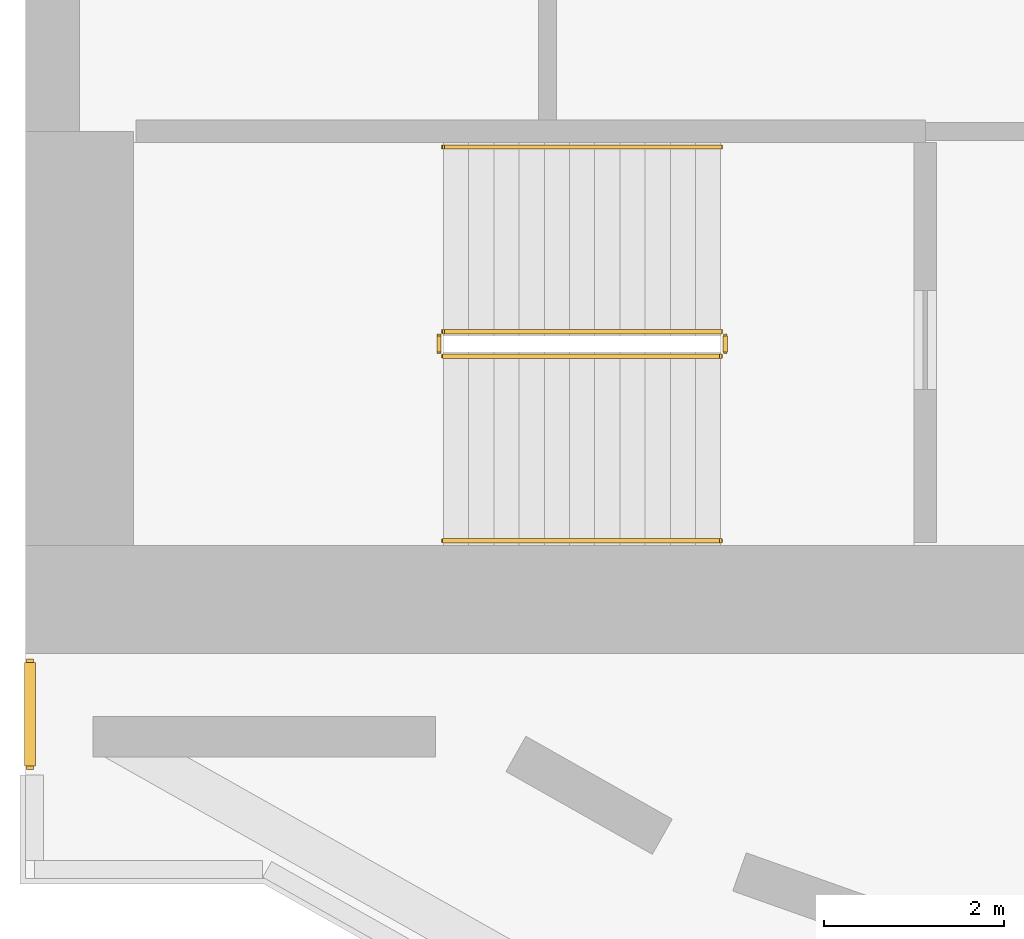
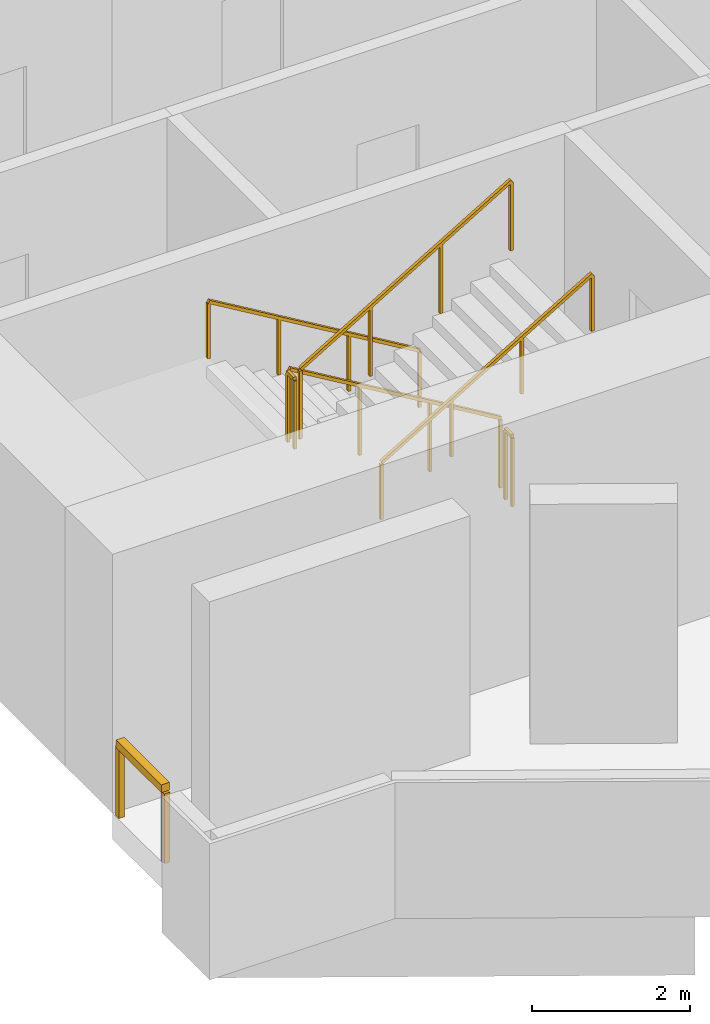
# One storey, part 6 of 8: 7 railings.
"""IFC4 building model written with IfcOpenShell, lengths in metres."""

import ifcopenshell
import ifcopenshell.guid

model = None  # the IFC model being written
_history = None  # IfcOwnerHistory: only IFC2X3 demands one
_inside = {}  # id of a spatial element -> (the spatial element, [elements in it])
_under = {}  # id of a project, library or spatial element -> (it, [spatial elements below it])
_declared = {}  # id of a project -> (the project, [libraries it declares])
_typed = {}  # id of a type object -> (the type object, [elements of that type])
_made_of = {}  # id of a material, layer set ... -> (it, [elements and type objects made of it])


def new_model(schema):
    """Start an empty IFC model of exactly this schema.

    Asked for "IFC4X3", IfcOpenShell would pick the latest addendum, in which some entities
    have other attributes; the version numbers below select the first issue.
    IFC2X3 requires an IfcOwnerHistory on every rooted entity: one is made here for all.
    """
    global model, _history
    if schema == "IFC4X3":
        model = ifcopenshell.file(schema_version=(4, 3, 0, 0))
    else:
        model = ifcopenshell.file(schema=schema)
    _inside.clear()
    _under.clear()
    _declared.clear()
    _typed.clear()
    _made_of.clear()
    _history = None
    if model.schema == "IFC2X3":
        org = make("IfcOrganization", Name="unknown")
        user = make(
            "IfcPersonAndOrganization",
            ThePerson=make("IfcPerson", FamilyName="unknown"),
            TheOrganization=org,
        )
        app = make(
            "IfcApplication",
            ApplicationDeveloper=org,
            Version="unknown",
            ApplicationFullName="unknown",
            ApplicationIdentifier="unknown",
        )
        _history = make(
            "IfcOwnerHistory",
            OwningUser=user,
            OwningApplication=app,
            ChangeAction="ADDED",
            CreationDate=0,
        )
    return model


def make(cls, **values):
    """One entity of the class cls with the attributes given. An attribute that is None is left unset."""
    return model.create_entity(
        cls, **{name: value for name, value in values.items() if value is not None}
    )


def rooted(cls, **values):
    """An entity with a GlobalId (a new one), such as an element, a storey or a relation."""
    return make(cls, GlobalId=ifcopenshell.guid.new(), OwnerHistory=_history, **values)


def si_unit(unit_type, name, prefix=None):
    """IfcSIUnit, for example si_unit("LENGTHUNIT", "METRE", prefix="MILLI")."""
    return make("IfcSIUnit", UnitType=unit_type, Prefix=prefix, Name=name)


def assignment(units):
    """IfcUnitAssignment: the units of a project."""
    return None if units is None else make("IfcUnitAssignment", Units=units)


def point(xyz):
    """IfcCartesianPoint."""
    return None if xyz is None else make("IfcCartesianPoint", Coordinates=xyz)


def direction(xyz):
    """IfcDirection."""
    return None if xyz is None else make("IfcDirection", DirectionRatios=xyz)


def frame(location, z_axis=None, x_axis=None):
    """IfcAxis2Placement3D, a coordinate frame: its origin and axes. An axis left out is left unset."""
    return make(
        "IfcAxis2Placement3D",
        Location=point(location),
        Axis=direction(z_axis),
        RefDirection=direction(x_axis),
    )


def frame_2d(location, x_axis=None):
    """IfcAxis2Placement2D, a coordinate frame in the plane: its origin and x axis."""
    return make(
        "IfcAxis2Placement2D", Location=point(location), RefDirection=direction(x_axis)
    )


def origin():
    """The frame at (0, 0, 0) with its axes left unset."""
    return frame((0.0, 0.0, 0.0))


def origin_2d():
    """The frame at (0, 0) in the plane with its x axis left unset."""
    return frame_2d((0.0, 0.0))


def place(relative_to, where):
    """IfcLocalPlacement: puts the frame where relative to a parent placement (None: the world)."""
    return make(
        "IfcLocalPlacement", PlacementRelTo=relative_to, RelativePlacement=where
    )


def context(
    kind, dimensions, precision=None, world=None, true_north=None, identifier=None
):
    """IfcGeometricRepresentationContext, for example the 3D "Model" context."""
    return make(
        "IfcGeometricRepresentationContext",
        ContextIdentifier=identifier,
        ContextType=kind,
        CoordinateSpaceDimension=dimensions,
        Precision=precision,
        WorldCoordinateSystem=world,
        TrueNorth=true_north,
    )


def subcontext(parent, identifier, kind, view, scale=None):
    """IfcGeometricRepresentationSubContext, for example "Body" below "Model"."""
    return make(
        "IfcGeometricRepresentationSubContext",
        ContextIdentifier=identifier,
        ContextType=kind,
        ParentContext=parent,
        TargetScale=scale,
        TargetView=view,
    )


def project(units=None, contexts=None):
    """IfcProject with its units and contexts."""
    return rooted(
        "IfcProject",
        Name="project",
        RepresentationContexts=contexts,
        UnitsInContext=assignment(units),
    )


def spatial(cls, under=None, at=None, **own):
    """A site, building, storey or space (cls), placed at a placement, below another one or the project."""
    s = rooted(cls, ObjectPlacement=at, **own)
    if under is not None:
        _under.setdefault(under.id(), (under, []))[1].append(s)
    return s


def profile(cls, at=None, kind="AREA", **sizes):
    """A parametric profile (cls). Its sizes go by their IFC names, for example OverallWidth=200.0."""
    return make(cls, ProfileType=kind, Position=at, **sizes)


def rectangle(**sizes):
    """IfcRectangleProfileDef."""
    return profile("IfcRectangleProfileDef", **sizes)


def extrude(swept, where, along, depth):
    """IfcExtrudedAreaSolid: the profile swept, set in the frame where, extruded along a direction by depth."""
    return make(
        "IfcExtrudedAreaSolid",
        SweptArea=swept,
        Position=where,
        ExtrudedDirection=direction(along),
        Depth=depth,
    )


def shape(context_of_items, identifier, shape_type, items):
    """IfcShapeRepresentation: the items that make up one representation, for example the "Body"."""
    return make(
        "IfcShapeRepresentation",
        ContextOfItems=context_of_items,
        RepresentationIdentifier=identifier,
        RepresentationType=shape_type,
        Items=items,
    )


def material(Name=None, Category=None):
    """IfcMaterial."""
    return make("IfcMaterial", Name=Name, Category=Category)


def made_of(thing, what):
    """Note that an element or type object is made of a material, layer set ...; save() writes the relation."""
    if what is not None:
        _made_of.setdefault(what.id(), (what, []))[1].append(thing)
    return thing


def type_object(cls, material=None, **own):
    """A type object (cls), such as IfcWallType, which elements share."""
    return made_of(rooted(cls, **own), material)


def element(
    cls,
    number,
    at=None,
    inside=None,
    cuts=None,
    type_object=None,
    material=None,
    context=None,
    identifier="Body",
    shape_type=None,
    held_by="IfcProductDefinitionShape",
    body=None,
    shapes=None,
    **own,
):
    """One element of the class cls, such as IfcWall. Its Tag is "e" and its number.

    at: its placement. inside: the storey or other place that contains it. cuts: it is an
    opening in that element (IfcRelVoidsElement). A single representation is given by context,
    identifier, shape_type and body (its items); several are given by shapes. held_by: the class
    of the entity that holds the representations. save() writes the other relations.
    """
    e = rooted(cls, Tag="e%d" % number, ObjectPlacement=at, **own)
    if body is not None:
        shapes = [shape(context, identifier, shape_type, body)]
    if shapes is not None:
        e.Representation = make(held_by, Representations=shapes)
    if inside is not None:
        _inside.setdefault(inside.id(), (inside, []))[1].append(e)
    if cuts is not None:
        rooted(
            "IfcRelVoidsElement", RelatingBuildingElement=cuts, RelatedOpeningElement=e
        )
    if type_object is not None:
        _typed.setdefault(type_object.id(), (type_object, []))[1].append(e)
    return made_of(e, material)


def aggregate(whole, parts):
    """IfcRelAggregates: a whole, such as a stair, and the parts it consists of."""
    return rooted("IfcRelAggregates", RelatingObject=whole, RelatedObjects=parts)


def save(model, path):
    """Write the relations noted so far, then the file.

    IfcRelAggregates (storeys below a building ...), IfcRelContainedInSpatialStructure (elements
    in a storey), IfcRelDefinesByType, IfcRelAssociatesMaterial and IfcRelDeclares: one each for
    every whole, place, type object, material and project.
    """
    for whole, parts in _under.values():
        aggregate(whole, parts)
    for where, things in _inside.values():
        rooted(
            "IfcRelContainedInSpatialStructure",
            RelatedElements=things,
            RelatingStructure=where,
        )
    for kind, things in _typed.values():
        rooted("IfcRelDefinesByType", RelatedObjects=things, RelatingType=kind)
    for what, things in _made_of.values():
        rooted("IfcRelAssociatesMaterial", RelatedObjects=things, RelatingMaterial=what)
    for by, libraries in _declared.values():
        rooted("IfcRelDeclares", RelatingContext=by, RelatedDefinitions=libraries)
    model.write(path)


model = new_model("IFC4")

# Units and contexts
model_context = context("Model", 3, precision=1e-05, world=origin(), true_north=direction((0.0, 1.0)))
body_context = subcontext(model_context, "Body", "Model", "MODEL_VIEW")
ifc_project = project(units=[si_unit("LENGTHUNIT", "METRE"), si_unit("AREAUNIT", "SQUARE_METRE"), si_unit("VOLUMEUNIT", "CUBIC_METRE"), si_unit("PLANEANGLEUNIT", "RADIAN"), si_unit("MASSUNIT", "GRAM", prefix="KILO")], contexts=[model_context])

# Site, building, storey
site_placement = place(None, origin())
site = spatial("IfcSite", under=ifc_project, at=site_placement, CompositionType="ELEMENT")
building_placement = place(site_placement, origin())
building = spatial("IfcBuilding", under=site, at=building_placement, Name="Cypress Arch Tower", CompositionType="ELEMENT")
storey_placement = place(building_placement, frame((0.0, 0.0, 343.0)))
storey = spatial("IfcBuildingStorey", under=building, at=storey_placement, Name="L78", CompositionType="ELEMENT", Elevation=343.0)

# Railings
ifc_material_1 = material(Name="Stainless steel posts and handrail, laminated glass infill", Category="steel")
railing_type_1 = type_object("IfcRailingType", Name="Deck guard GR1200D", PredefinedType="GUARDRAIL", material=ifc_material_1)
railing_1_placement = place(storey_placement, frame((-29.949951171875, -17.25, 0.0)))
element("IfcRailing", 1, at=railing_1_placement, inside=storey, type_object=railing_type_1, Name="Crown edge guard L78 1", PredefinedType="GUARDRAIL", context=body_context, shape_type="SweptSolid", body=[
    extrude(rectangle(XDim=0.1201171875, YDim=0.1201171875, at=origin_2d()), frame((0.0, 0.0, 1.139892578125), z_axis=(0.0, 1.0, 0.0), x_axis=(-1.0, 0.0, 0.0)), (0.0, 0.0, 1.0), 1.14990234375),
    extrude(rectangle(XDim=0.080078125, YDim=0.080078125, at=origin_2d()), origin(), (0.0, 0.0, 1.0), 1.079833984375),
    extrude(rectangle(XDim=0.080078125, YDim=0.080078125, at=origin_2d()), frame((0.0, 1.14990234375, 0.0)), (0.0, 0.0, 1.0), 1.079833984375),
])
ifc_material_2 = material(Name="Black powder-coated steel square bar 48 mm", Category="steel")
railing_type_2 = type_object("IfcRailingType", Name="Stair handrail HR1", PredefinedType="HANDRAIL", material=ifc_material_2)
railing_2_placement = place(storey_placement, frame((-22.27490234375, -10.375, 0.166748046875)))
element("IfcRailing", 2, at=railing_2_placement, inside=storey, type_object=railing_type_2, Name="L78 A stair handrail 1", PredefinedType="HANDRAIL", context=body_context, shape_type="SweptSolid", body=[
    extrude(rectangle(XDim=0.048095703125, YDim=0.048095703125, at=origin_2d()), frame((0.0, 0.0, 0.8759765625), z_axis=(-0.859308565015, 0.0, 0.511457515432), x_axis=(0.0, -1.0, 0.0)), (0.0, 0.0, 1.0), 3.58447265625),
    extrude(rectangle(XDim=0.0419921875, YDim=0.0419921875, at=origin_2d()), origin(), (0.0, 0.0, 1.0), 0.851806640625),
    extrude(rectangle(XDim=0.0419921875, YDim=0.0419921875, at=origin_2d()), frame((-1.026611328125, 0.0, 0.611083984375)), (0.0, 0.0, 1.0), 0.851806640625),
    extrude(rectangle(XDim=0.0419921875, YDim=0.0419921875, at=origin_2d()), frame((-2.053466796875, 0.0, 1.22216796875)), (0.0, 0.0, 1.0), 0.851806640625),
    extrude(rectangle(XDim=0.0419921875, YDim=0.0419921875, at=origin_2d()), frame((-3.080078125, 0.0, 1.833251953125)), (0.0, 0.0, 1.0), 0.851806640625),
])
railing_3_placement = place(storey_placement, frame((-25.35498046875, -14.75, 2.166748046875)))
element("IfcRailing", 3, at=railing_3_placement, inside=storey, type_object=railing_type_2, Name="L78 A stair handrail 2", PredefinedType="HANDRAIL", context=body_context, shape_type="SweptSolid", body=[
    extrude(rectangle(XDim=0.048095703125, YDim=0.048095703125, at=origin_2d()), frame((0.0, 0.0, 0.8759765625), z_axis=(0.859308565015, 0.0, 0.511457515432), x_axis=(0.0, 1.0, 0.0)), (0.0, 0.0, 1.0), 3.58447265625),
    extrude(rectangle(XDim=0.0419921875, YDim=0.0419921875, at=origin_2d()), origin(), (0.0, 0.0, 1.0), 0.851806640625),
    extrude(rectangle(XDim=0.0419921875, YDim=0.0419921875, at=origin_2d()), frame((1.026611328125, 0.0, 0.611083984375)), (0.0, 0.0, 1.0), 0.851806640625),
    extrude(rectangle(XDim=0.0419921875, YDim=0.0419921875, at=origin_2d()), frame((2.053466796875, 0.0, 1.22216796875)), (0.0, 0.0, 1.0), 0.851806640625),
    extrude(rectangle(XDim=0.0419921875, YDim=0.0419921875, at=origin_2d()), frame((3.080078125, 0.0, 1.833251953125)), (0.0, 0.0, 1.0), 0.851806640625),
])
ifc_material_3 = material(Name="Black powder-coated steel balusters", Category="steel")
railing_type_3 = type_object("IfcRailingType", Name="Stair well guard G1", PredefinedType="GUARDRAIL", material=ifc_material_3)
railing_4_placement = place(storey_placement, frame((-22.27490234375, -12.425048828125, 0.166748046875)))
element("IfcRailing", 4, at=railing_4_placement, inside=storey, type_object=railing_type_3, Name="L78 A stair guard 1", PredefinedType="GUARDRAIL", context=body_context, shape_type="SweptSolid", body=[
    extrude(rectangle(XDim=0.048095703125, YDim=0.048095703125, at=origin_2d()), frame((0.0, 0.0, 1.076171875), z_axis=(-0.859308565015, 0.0, 0.511457515432), x_axis=(0.0, -1.0, 0.0)), (0.0, 0.0, 1.0), 3.58447265625),
    extrude(rectangle(XDim=0.0419921875, YDim=0.0419921875, at=origin_2d()), origin(), (0.0, 0.0, 1.0), 1.052001953125),
    extrude(rectangle(XDim=0.0419921875, YDim=0.0419921875, at=origin_2d()), frame((-1.026611328125, 0.0, 0.611083984375)), (0.0, 0.0, 1.0), 1.052001953125),
    extrude(rectangle(XDim=0.0419921875, YDim=0.0419921875, at=origin_2d()), frame((-2.053466796875, 0.0, 1.22216796875)), (0.0, 0.0, 1.0), 1.052001953125),
    extrude(rectangle(XDim=0.0419921875, YDim=0.0419921875, at=origin_2d()), frame((-3.080078125, 0.0, 1.833251953125)), (0.0, 0.0, 1.0), 1.052001953125),
])
railing_5_placement = place(storey_placement, frame((-25.405029296875, -12.47509765625, 2.0)))
element("IfcRailing", 5, at=railing_5_placement, inside=storey, type_object=railing_type_3, Name="L78 A stair guard 2", PredefinedType="GUARDRAIL", context=body_context, shape_type="SweptSolid", body=[
    extrude(rectangle(XDim=0.048095703125, YDim=0.048095703125, at=origin_2d()), frame((0.0, 0.0, 1.076171875), z_axis=(0.0, -1.0, 0.0), x_axis=(1.0, 0.0, 0.0)), (0.0, 0.0, 1.0), 0.1748046875),
    extrude(rectangle(XDim=0.0419921875, YDim=0.0419921875, at=origin_2d()), origin(), (0.0, 0.0, 1.0), 1.052001953125),
    extrude(rectangle(XDim=0.0419921875, YDim=0.0419921875, at=origin_2d()), frame((0.0, -0.1748046875, 0.0)), (0.0, 0.0, 1.0), 1.052001953125),
])
railing_6_placement = place(storey_placement, frame((-25.35498046875, -12.699951171875, 2.166748046875)))
element("IfcRailing", 6, at=railing_6_placement, inside=storey, type_object=railing_type_3, Name="L78 A stair guard 3", PredefinedType="GUARDRAIL", context=body_context, shape_type="SweptSolid", body=[
    extrude(rectangle(XDim=0.048095703125, YDim=0.048095703125, at=origin_2d()), frame((0.0, 0.0, 1.076171875), z_axis=(0.859308565015, 0.0, 0.511457515432), x_axis=(0.0, 1.0, 0.0)), (0.0, 0.0, 1.0), 3.58447265625),
    extrude(rectangle(XDim=0.0419921875, YDim=0.0419921875, at=origin_2d()), origin(), (0.0, 0.0, 1.0), 1.052001953125),
    extrude(rectangle(XDim=0.0419921875, YDim=0.0419921875, at=origin_2d()), frame((1.026611328125, 0.0, 0.611083984375)), (0.0, 0.0, 1.0), 1.052001953125),
    extrude(rectangle(XDim=0.0419921875, YDim=0.0419921875, at=origin_2d()), frame((2.053466796875, 0.0, 1.22216796875)), (0.0, 0.0, 1.0), 1.052001953125),
    extrude(rectangle(XDim=0.0419921875, YDim=0.0419921875, at=origin_2d()), frame((3.080078125, 0.0, 1.833251953125)), (0.0, 0.0, 1.0), 1.052001953125),
])
railing_7_placement = place(storey_placement, frame((-22.22509765625, -12.47509765625, 0.0)))
element("IfcRailing", 7, at=railing_7_placement, inside=storey, type_object=railing_type_3, Name="L78 A stair guard 4", PredefinedType="GUARDRAIL", context=body_context, shape_type="SweptSolid", body=[
    extrude(rectangle(XDim=0.048095703125, YDim=0.048095703125, at=origin_2d()), frame((0.0, 0.0, 1.076171875), z_axis=(0.0, -1.0, 0.0), x_axis=(1.0, 0.0, 0.0)), (0.0, 0.0, 1.0), 0.1748046875),
    extrude(rectangle(XDim=0.0419921875, YDim=0.0419921875, at=origin_2d()), origin(), (0.0, 0.0, 1.0), 1.052001953125),
    extrude(rectangle(XDim=0.0419921875, YDim=0.0419921875, at=origin_2d()), frame((0.0, -0.1748046875, 0.0)), (0.0, 0.0, 1.0), 1.052001953125),
])

save(model, "model.ifc")
